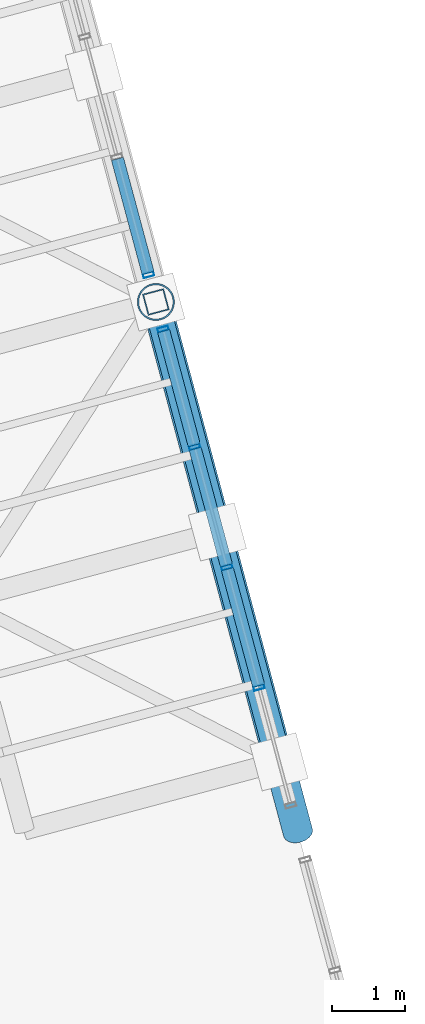
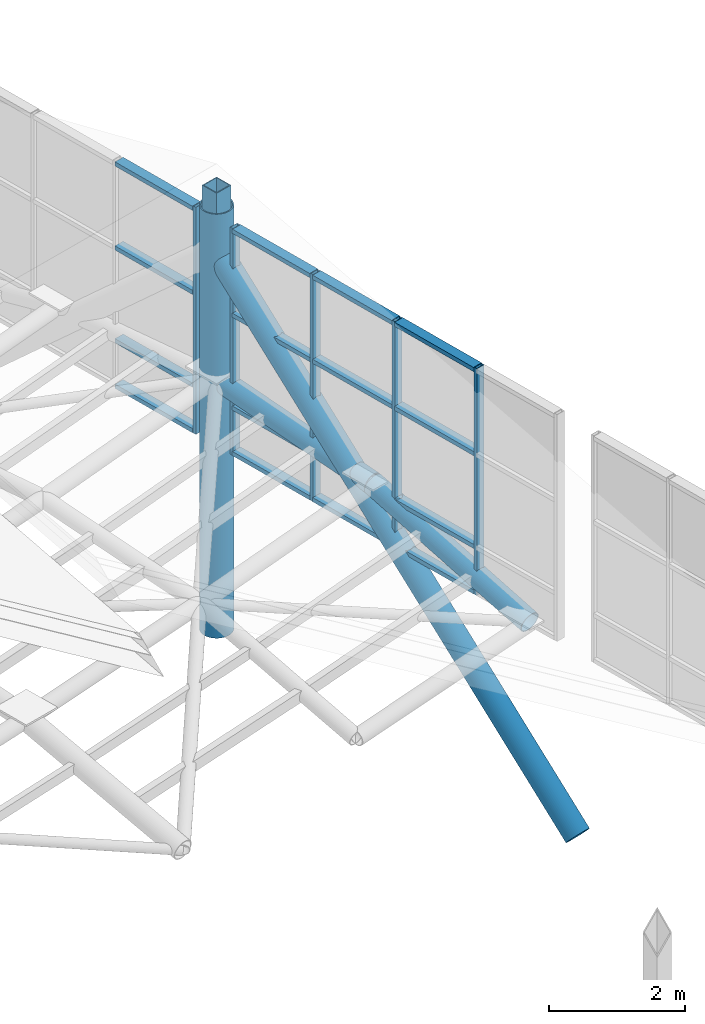
# One storey, part 21 of 28: 26 members, 2 elements without a shape of their own.
"""IFC4 building model written with IfcOpenShell, lengths in metres."""

from ifc_helpers import new_model, si_unit, direction, frame, origin, origin_2d, place, context, subcontext, project, spatial, hollow_rectangle, hollow_circle, extrude, material, layer, layer_set, material_profile, profile_set, type_object, element, aggregate, save


model = new_model("IFC4")

# Units and contexts
model_context = context("Model", 3, precision=1e-05, world=origin(), true_north=direction((0.0, 1.0)))
body_context = subcontext(model_context, "Body", "Model", "MODEL_VIEW")
ifc_project = project(units=[si_unit("LENGTHUNIT", "METRE"), si_unit("AREAUNIT", "SQUARE_METRE"), si_unit("VOLUMEUNIT", "CUBIC_METRE"), si_unit("PLANEANGLEUNIT", "RADIAN"), si_unit("MASSUNIT", "GRAM", prefix="KILO")], contexts=[model_context])

# Site, building, storey
site_placement = place(None, origin())
site = spatial("IfcSite", under=ifc_project, at=site_placement, CompositionType="ELEMENT")
building_placement = place(site_placement, origin())
building = spatial("IfcBuilding", under=site, at=building_placement, Name="Ventoquebrada Cableway Terminal", CompositionType="ELEMENT")
storey_placement = place(building_placement, frame((0.0, 0.0, 23.39990234375)))
storey = spatial("IfcBuildingStorey", under=building, at=storey_placement, Name="RF", CompositionType="ELEMENT", Elevation=23.39990234375)

# Members
ifc_material_1 = material(Name="Steel ASTM A500 Grade C", Category="steel")
ifc_material_profile_1 = material_profile(ifc_material_1, hollow_circle(Radius=0.177734375, WallThickness=0.012451171875, at=origin_2d()), Name="CHS355.6X12.5")
ifc_profile_set_1 = profile_set([ifc_material_profile_1], Name="Steel ASTM A500 Grade C")
member_type_1 = type_object("IfcMemberType", Name="CHD-GS01", PredefinedType="CHORD", material=ifc_profile_set_1)
member_1_placement = place(storey_placement, frame((85.069091796875, 85.3798828125, -0.06982421875), z_axis=(-0.249861709194, 0.932575284996, 0.260523442503), x_axis=(-0.965931285943, -0.258798668539, 0.0)))
element("IfcMember", 1, at=member_1_placement, inside=storey, type_object=member_type_1, Name="Saddle gridshell arch chord GCH-0097", PredefinedType="CHORD", context=body_context, shape_type="SweptSolid", body=[
    extrude(hollow_circle(Radius=0.177734375, WallThickness=0.012451171875, at=origin_2d()), origin(), (0.0, 0.0, 1.0), 3.3662109375),
])
member_2_placement = place(storey_placement, frame((84.22802734375, 88.51904296875, 0.80712890625), z_axis=(-0.257697813215, 0.962046901528, 0.089764114908), x_axis=(-0.965946375494, -0.258742342242, 0.0)))
element("IfcMember", 2, at=member_2_placement, inside=storey, type_object=member_type_1, Name="Saddle gridshell arch chord GCH-0098", PredefinedType="CHORD", context=body_context, shape_type="SweptSolid", body=[
    extrude(hollow_circle(Radius=0.177734375, WallThickness=0.012451171875, at=origin_2d()), origin(), (0.0, 0.0, 1.0), 3.263671875),
])

# Curtain wall, members
ifc_material_2 = material(Name="Anodized thermally-broken aluminium", Category="aluminium")
ifc_layer = layer(ifc_material_2, 0.159912109375)
ifc_layer_set = layer_set([ifc_layer], Name="Anodized thermally-broken aluminium")
curtain_wall_type = type_object("IfcCurtainWallType", Name="CW-T50", PredefinedType="USERDEFINED", material=ifc_layer_set)
curtain_wall_1_placement = place(storey_placement, origin())
curtain_wall_1 = element("IfcCurtainWall", 3, at=curtain_wall_1_placement, inside=storey, type_object=curtain_wall_type, Name="Unitised glazed curtain wall CW-166", ObjectType="UNITISED CURTAIN WALL", PredefinedType="USERDEFINED")
ifc_material_profile_2 = material_profile(ifc_material_2, hollow_rectangle(XDim=0.06005859375, YDim=0.14990234375, WallThickness=0.00390625, at=origin_2d()), Name="CW-MUL-60X150")
ifc_profile_set_2 = profile_set([ifc_material_profile_2], Name="Anodized thermally-broken aluminium")
member_type_2 = type_object("IfcMemberType", Name="CWM-03", PredefinedType="MULLION", material=ifc_profile_set_2)
member_3_placement = place(storey_placement, frame((84.797119140625, 86.39404296875, -0.06298828125), z_axis=(0.0, 0.0, 1.0), x_axis=(-0.258802186477, 0.965930343386, 0.0)))
member_3 = element("IfcMember", 4, at=member_3_placement, type_object=member_type_2, Name="Curtain wall mullion FML-0805", PredefinedType="MULLION", context=body_context, shape_type="SweptSolid", body=[
    extrude(hollow_rectangle(XDim=0.06005859375, YDim=0.14990234375, WallThickness=0.00390625, at=origin_2d()), origin(), (0.0, 0.0, 1.0), 4.068115234375),
])
member_4_placement = place(storey_placement, frame((84.35693359375, 88.035888671875, -0.06298828125), z_axis=(0.0, 0.0, 1.0), x_axis=(-0.258802186477, 0.965930343386, 0.0)))
member_4 = element("IfcMember", 5, at=member_4_placement, type_object=member_type_2, Name="Curtain wall mullion FML-0806", PredefinedType="MULLION", context=body_context, shape_type="SweptSolid", body=[
    extrude(hollow_rectangle(XDim=0.06005859375, YDim=0.14990234375, WallThickness=0.00390625, at=origin_2d()), origin(), (0.0, 0.0, 1.0), 4.068115234375),
])
member_5_placement = place(storey_placement, frame((83.9169921875, 89.678955078125, -0.06298828125), z_axis=(0.0, 0.0, 1.0), x_axis=(-0.258802186477, 0.965930343386, 0.0)))
member_5 = element("IfcMember", 6, at=member_5_placement, type_object=member_type_2, Name="Curtain wall mullion FML-0807", PredefinedType="MULLION", context=body_context, shape_type="SweptSolid", body=[
    extrude(hollow_rectangle(XDim=0.06005859375, YDim=0.14990234375, WallThickness=0.00390625, at=origin_2d()), origin(), (0.0, 0.0, 1.0), 4.068115234375),
])
member_6_placement = place(storey_placement, frame((83.486083984375, 91.287109375, -0.06298828125), z_axis=(0.0, 0.0, 1.0), x_axis=(-0.258802186477, 0.965930343386, 0.0)))
member_6 = element("IfcMember", 7, at=member_6_placement, type_object=member_type_2, Name="Curtain wall mullion FML-0808", PredefinedType="MULLION", context=body_context, shape_type="SweptSolid", body=[
    extrude(hollow_rectangle(XDim=0.06005859375, YDim=0.14990234375, WallThickness=0.00390625, at=origin_2d()), origin(), (0.0, 0.0, 1.0), 4.068115234375),
])

# Curtain wall, member
curtain_wall_2_placement = place(storey_placement, origin())
curtain_wall_2 = element("IfcCurtainWall", 8, at=curtain_wall_2_placement, inside=storey, type_object=curtain_wall_type, Name="Unitised glazed curtain wall CW-167", ObjectType="UNITISED CURTAIN WALL", PredefinedType="USERDEFINED")
member_7_placement = place(storey_placement, frame((83.287109375, 92.031005859375, -0.06298828125), z_axis=(0.0, 0.0, 1.0), x_axis=(-0.258835903649, 0.965921308897, 0.0)))
member_7 = element("IfcMember", 9, at=member_7_placement, type_object=member_type_2, Name="Curtain wall mullion FML-0809", PredefinedType="MULLION", context=body_context, shape_type="SweptSolid", body=[
    extrude(hollow_rectangle(XDim=0.06005859375, YDim=0.14990234375, WallThickness=0.00390625, at=origin_2d()), origin(), (0.0, 0.0, 1.0), 4.068115234375),
])

# Member
ifc_material_profile_3 = material_profile(ifc_material_2, hollow_rectangle(XDim=0.074951171875, YDim=0.169921875, WallThickness=0.00439453125, at=origin_2d()), Name="CW-TRN-75X170")
ifc_profile_set_3 = profile_set([ifc_material_profile_3], Name="Anodized thermally-broken aluminium")
member_type_3 = type_object("IfcMemberType", Name="CWT-03", PredefinedType="USERDEFINED", material=ifc_profile_set_3)
member_8_placement = place(storey_placement, frame((84.791015625, 86.41796875, -0.02001953125), z_axis=(-0.259310305754, 0.965794059481, 0.0), x_axis=(0.0, 0.0, 1.0)))
member_8 = element("IfcMember", 10, at=member_8_placement, type_object=member_type_3, Name="Curtain wall transom FTR-2356", ObjectType="TRANSOM", PredefinedType="USERDEFINED", context=body_context, shape_type="SweptSolid", body=[
    extrude(hollow_rectangle(XDim=0.074951171875, YDim=0.169921875, WallThickness=0.00439453125, at=origin_2d()), origin(), (0.0, 0.0, 1.0), 1.650390625),
])

member_9_placement = place(storey_placement, frame((84.791015625, 86.41796875, 0.795166015625), z_axis=(-0.259310305754, 0.965794059481, 0.0), x_axis=(0.0, 0.0, 1.0)))
member_9 = element("IfcMember", 11, at=member_9_placement, type_object=member_type_3, Name="Curtain wall transom FTR-2357", ObjectType="TRANSOM", PredefinedType="USERDEFINED", context=body_context, shape_type="SweptSolid", body=[
    extrude(hollow_rectangle(XDim=0.074951171875, YDim=0.169921875, WallThickness=0.00439453125, at=origin_2d()), origin(), (0.0, 0.0, 1.0), 1.650390625),
])

member_10_placement = place(storey_placement, frame((84.791015625, 86.41796875, 2.458984375), z_axis=(-0.259310305754, 0.965794059481, 0.0), x_axis=(0.0, 0.0, 1.0)))
member_10 = element("IfcMember", 12, at=member_10_placement, type_object=member_type_3, Name="Curtain wall transom FTR-2358", ObjectType="TRANSOM", PredefinedType="USERDEFINED", context=body_context, shape_type="SweptSolid", body=[
    extrude(hollow_rectangle(XDim=0.074951171875, YDim=0.169921875, WallThickness=0.00439453125, at=origin_2d()), origin(), (0.0, 0.0, 1.0), 1.650390625),
])

member_11_placement = place(storey_placement, frame((84.791015625, 86.41796875, 3.965087890625), z_axis=(-0.259310305754, 0.965794059481, 0.0), x_axis=(0.0, 0.0, 1.0)))
member_11 = element("IfcMember", 13, at=member_11_placement, type_object=member_type_3, Name="Curtain wall transom FTR-2359", ObjectType="TRANSOM", PredefinedType="USERDEFINED", context=body_context, shape_type="SweptSolid", body=[
    extrude(hollow_rectangle(XDim=0.074951171875, YDim=0.169921875, WallThickness=0.00439453125, at=origin_2d()), origin(), (0.0, 0.0, 1.0), 1.650390625),
])

member_12_placement = place(storey_placement, frame((84.35107421875, 88.06103515625, -0.02001953125), z_axis=(-0.259310305754, 0.965794059481, 0.0), x_axis=(0.0, 0.0, 1.0)))
member_12 = element("IfcMember", 14, at=member_12_placement, type_object=member_type_3, Name="Curtain wall transom FTR-2360", ObjectType="TRANSOM", PredefinedType="USERDEFINED", context=body_context, shape_type="SweptSolid", body=[
    extrude(hollow_rectangle(XDim=0.074951171875, YDim=0.169921875, WallThickness=0.00439453125, at=origin_2d()), origin(), (0.0, 0.0, 1.0), 1.650390625),
])

member_13_placement = place(storey_placement, frame((84.35107421875, 88.06103515625, 0.795166015625), z_axis=(-0.259310305754, 0.965794059481, 0.0), x_axis=(0.0, 0.0, 1.0)))
member_13 = element("IfcMember", 15, at=member_13_placement, type_object=member_type_3, Name="Curtain wall transom FTR-2361", ObjectType="TRANSOM", PredefinedType="USERDEFINED", context=body_context, shape_type="SweptSolid", body=[
    extrude(hollow_rectangle(XDim=0.074951171875, YDim=0.169921875, WallThickness=0.00439453125, at=origin_2d()), origin(), (0.0, 0.0, 1.0), 1.650390625),
])

member_14_placement = place(storey_placement, frame((84.35107421875, 88.06103515625, 2.458984375), z_axis=(-0.259310305754, 0.965794059481, 0.0), x_axis=(0.0, 0.0, 1.0)))
member_14 = element("IfcMember", 16, at=member_14_placement, type_object=member_type_3, Name="Curtain wall transom FTR-2362", ObjectType="TRANSOM", PredefinedType="USERDEFINED", context=body_context, shape_type="SweptSolid", body=[
    extrude(hollow_rectangle(XDim=0.074951171875, YDim=0.169921875, WallThickness=0.00439453125, at=origin_2d()), origin(), (0.0, 0.0, 1.0), 1.650390625),
])

member_15_placement = place(storey_placement, frame((84.35107421875, 88.06103515625, 3.965087890625), z_axis=(-0.259310305754, 0.965794059481, 0.0), x_axis=(0.0, 0.0, 1.0)))
member_15 = element("IfcMember", 17, at=member_15_placement, type_object=member_type_3, Name="Curtain wall transom FTR-2363", ObjectType="TRANSOM", PredefinedType="USERDEFINED", context=body_context, shape_type="SweptSolid", body=[
    extrude(hollow_rectangle(XDim=0.074951171875, YDim=0.169921875, WallThickness=0.00439453125, at=origin_2d()), origin(), (0.0, 0.0, 1.0), 1.650390625),
])

member_16_placement = place(storey_placement, frame((83.910888671875, 89.702880859375, -0.02001953125), z_axis=(-0.258791494835, 0.96593320794, 0.0), x_axis=(0.0, 0.0, 1.0)))
member_16 = element("IfcMember", 18, at=member_16_placement, type_object=member_type_3, Name="Curtain wall transom FTR-2364", ObjectType="TRANSOM", PredefinedType="USERDEFINED", context=body_context, shape_type="SweptSolid", body=[
    extrude(hollow_rectangle(XDim=0.074951171875, YDim=0.169921875, WallThickness=0.00439453125, at=origin_2d()), origin(), (0.0, 0.0, 1.0), 1.614990234375),
])

member_17_placement = place(storey_placement, frame((83.910888671875, 89.702880859375, 0.795166015625), z_axis=(-0.258791494835, 0.96593320794, 0.0), x_axis=(0.0, 0.0, 1.0)))
member_17 = element("IfcMember", 19, at=member_17_placement, type_object=member_type_3, Name="Curtain wall transom FTR-2365", ObjectType="TRANSOM", PredefinedType="USERDEFINED", context=body_context, shape_type="SweptSolid", body=[
    extrude(hollow_rectangle(XDim=0.074951171875, YDim=0.169921875, WallThickness=0.00439453125, at=origin_2d()), origin(), (0.0, 0.0, 1.0), 1.614990234375),
])

member_18_placement = place(storey_placement, frame((83.910888671875, 89.702880859375, 2.458984375), z_axis=(-0.258791494835, 0.96593320794, 0.0), x_axis=(0.0, 0.0, 1.0)))
member_18 = element("IfcMember", 20, at=member_18_placement, type_object=member_type_3, Name="Curtain wall transom FTR-2366", ObjectType="TRANSOM", PredefinedType="USERDEFINED", context=body_context, shape_type="SweptSolid", body=[
    extrude(hollow_rectangle(XDim=0.074951171875, YDim=0.169921875, WallThickness=0.00439453125, at=origin_2d()), origin(), (0.0, 0.0, 1.0), 1.614990234375),
])

member_19_placement = place(storey_placement, frame((83.910888671875, 89.702880859375, 3.965087890625), z_axis=(-0.258791494835, 0.96593320794, 0.0), x_axis=(0.0, 0.0, 1.0)))
member_19 = element("IfcMember", 21, at=member_19_placement, type_object=member_type_3, Name="Curtain wall transom FTR-2367", ObjectType="TRANSOM", PredefinedType="USERDEFINED", context=body_context, shape_type="SweptSolid", body=[
    extrude(hollow_rectangle(XDim=0.074951171875, YDim=0.169921875, WallThickness=0.00439453125, at=origin_2d()), origin(), (0.0, 0.0, 1.0), 1.614990234375),
])

aggregate(curtain_wall_1, [member_3, member_4, member_5, member_6, member_8, member_9, member_10, member_11, member_12, member_13, member_14, member_15, member_16, member_17, member_18, member_19])

member_20_placement = place(storey_placement, frame((83.280029296875, 92.054931640625, -0.02001953125), z_axis=(-0.258791494835, 0.96593320794, 0.0), x_axis=(0.0, 0.0, 1.0)))
member_20 = element("IfcMember", 22, at=member_20_placement, type_object=member_type_3, Name="Curtain wall transom FTR-2368", ObjectType="TRANSOM", PredefinedType="USERDEFINED", context=body_context, shape_type="SweptSolid", body=[
    extrude(hollow_rectangle(XDim=0.074951171875, YDim=0.169921875, WallThickness=0.00439453125, at=origin_2d()), origin(), (0.0, 0.0, 1.0), 1.614990234375),
])

member_21_placement = place(storey_placement, frame((83.280029296875, 92.054931640625, 0.795166015625), z_axis=(-0.258791494835, 0.96593320794, 0.0), x_axis=(0.0, 0.0, 1.0)))
member_21 = element("IfcMember", 23, at=member_21_placement, type_object=member_type_3, Name="Curtain wall transom FTR-2369", ObjectType="TRANSOM", PredefinedType="USERDEFINED", context=body_context, shape_type="SweptSolid", body=[
    extrude(hollow_rectangle(XDim=0.074951171875, YDim=0.169921875, WallThickness=0.00439453125, at=origin_2d()), origin(), (0.0, 0.0, 1.0), 1.614990234375),
])

member_22_placement = place(storey_placement, frame((83.280029296875, 92.054931640625, 2.458984375), z_axis=(-0.258791494835, 0.96593320794, 0.0), x_axis=(0.0, 0.0, 1.0)))
member_22 = element("IfcMember", 24, at=member_22_placement, type_object=member_type_3, Name="Curtain wall transom FTR-2370", ObjectType="TRANSOM", PredefinedType="USERDEFINED", context=body_context, shape_type="SweptSolid", body=[
    extrude(hollow_rectangle(XDim=0.074951171875, YDim=0.169921875, WallThickness=0.00439453125, at=origin_2d()), origin(), (0.0, 0.0, 1.0), 1.614990234375),
])

member_23_placement = place(storey_placement, frame((83.280029296875, 92.054931640625, 3.965087890625), z_axis=(-0.258791494835, 0.96593320794, 0.0), x_axis=(0.0, 0.0, 1.0)))
member_23 = element("IfcMember", 25, at=member_23_placement, type_object=member_type_3, Name="Curtain wall transom FTR-2371", ObjectType="TRANSOM", PredefinedType="USERDEFINED", context=body_context, shape_type="SweptSolid", body=[
    extrude(hollow_rectangle(XDim=0.074951171875, YDim=0.169921875, WallThickness=0.00439453125, at=origin_2d()), origin(), (0.0, 0.0, 1.0), 1.614990234375),
])

aggregate(curtain_wall_2, [member_7, member_20, member_21, member_22, member_23])

# Members
ifc_material_profile_4 = material_profile(ifc_material_1, hollow_circle(Radius=0.25390625, WallThickness=0.02001953125, at=origin_2d()), Name="CHS508.0X20")
ifc_profile_set_4 = profile_set([ifc_material_profile_4], Name="Steel ASTM A500 Grade C")
member_type_4 = type_object("IfcMemberType", Name="MST-PT01", PredefinedType="STRUT", material=ifc_profile_set_4)
member_24_placement = place(storey_placement, frame((83.386962890625, 91.658935546875, -3.39990234375), z_axis=(0.0, 0.0, 1.0), x_axis=(1.0, 0.0, 0.0)))
element("IfcMember", 26, at=member_24_placement, inside=storey, type_object=member_type_4, Name="Ropeway portal mast MST-02", PredefinedType="STRUT", context=body_context, shape_type="SweptSolid", body=[
    extrude(hollow_circle(Radius=0.25390625, WallThickness=0.02001953125, at=origin_2d()), origin(), (0.0, 0.0, 1.0), 7.60009765625),
])
ifc_material_profile_5 = material_profile(ifc_material_1, hollow_circle(Radius=0.203125, WallThickness=0.01611328125, at=origin_2d()), Name="CHS406.4X16")
ifc_profile_set_5 = profile_set([ifc_material_profile_5], Name="Steel ASTM A500 Grade C")
member_type_5 = type_object("IfcMemberType", Name="STR-RK01", PredefinedType="STRUT", material=ifc_profile_set_5)
member_25_placement = place(storey_placement, frame((85.327880859375, 84.4140625, -3.39990234375), z_axis=(-0.191713941728, 0.715611474314, 0.671674014964), x_axis=(-0.965937155273, -0.258776761059, 0.0)))
element("IfcMember", 27, at=member_25_placement, inside=storey, type_object=member_type_5, Name="Portal mast stay strut MST-ST-0435", PredefinedType="STRUT", context=body_context, shape_type="SweptSolid", body=[
    extrude(hollow_circle(Radius=0.203125, WallThickness=0.01611328125, at=origin_2d()), origin(), (0.0, 0.0, 1.0), 10.1240234375),
])
ifc_material_profile_6 = material_profile(ifc_material_1, hollow_rectangle(XDim=0.300048828125, YDim=0.300048828125, WallThickness=0.01611328125, at=origin_2d()), Name="HSS300X300X16")
ifc_profile_set_6 = profile_set([ifc_material_profile_6], Name="Steel ASTM A500 Grade C")
member_type_6 = type_object("IfcMemberType", Name="STR-VS01", PredefinedType="STRUT", material=ifc_profile_set_6)
member_26_placement = place(storey_placement, frame((83.386962890625, 91.658935546875, 1.10009765625), z_axis=(0.0, 0.0, 1.0), x_axis=(0.965925826289, 0.258819045103, 0.0)))
element("IfcMember", 28, at=member_26_placement, inside=storey, type_object=member_type_6, Name="Gridshell deck stand-off post GS-SP-0461", PredefinedType="STRUT", context=body_context, shape_type="SweptSolid", body=[
    extrude(hollow_rectangle(XDim=0.300048828125, YDim=0.300048828125, WallThickness=0.01611328125, at=origin_2d()), origin(), (0.0, 0.0, 1.0), 3.446044921875),
])

save(model, "model.ifc")
